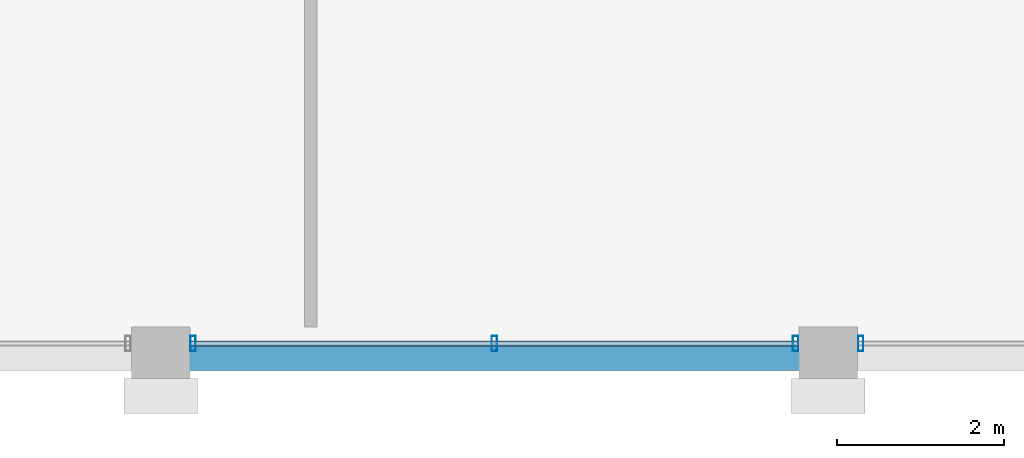
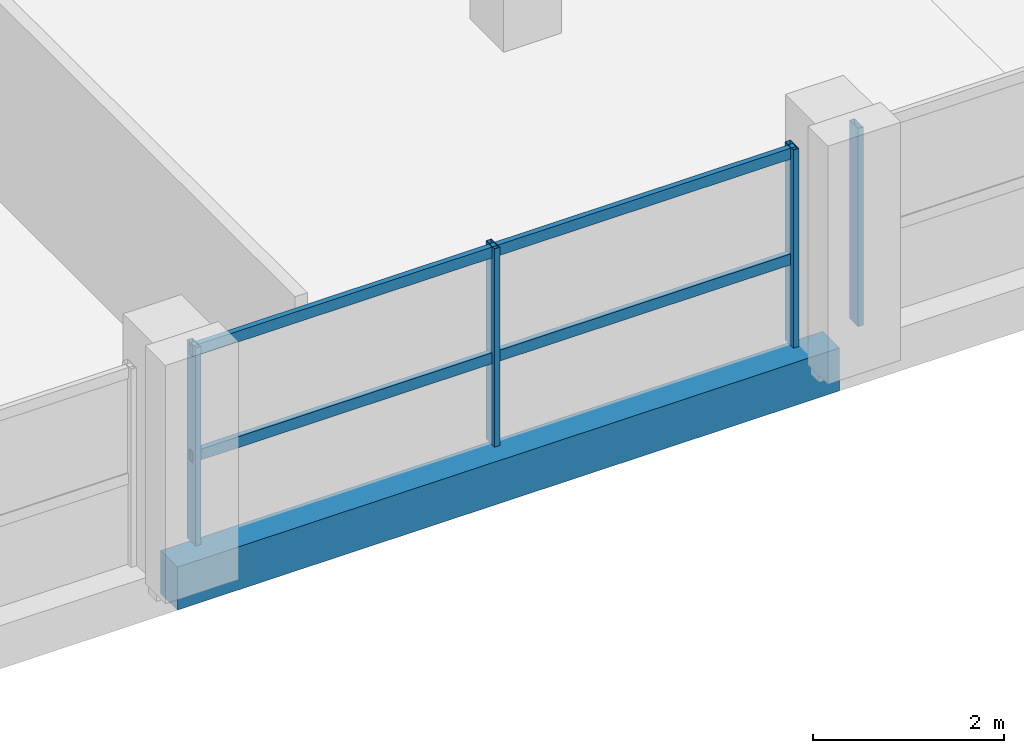
# One storey, part 5 of 24: 6 members, 1 beam, 2 elements without a shape of their own.
"""IFC4 building model written with IfcOpenShell, lengths in metres."""

from ifc_helpers import new_model, si_unit, direction, frame, origin, origin_2d, place, context, subcontext, project, spatial, rectangle, hollow_rectangle, extrude, material, material_profile, profile_set, type_object, element, aggregate, save


model = new_model("IFC4")

# Units and contexts
model_context = context("Model", 3, precision=1e-05, world=origin(), true_north=direction((0.0, 1.0)))
body_context = subcontext(model_context, "Body", "Model", "MODEL_VIEW")
ifc_project = project(units=[si_unit("LENGTHUNIT", "METRE"), si_unit("AREAUNIT", "SQUARE_METRE"), si_unit("VOLUMEUNIT", "CUBIC_METRE"), si_unit("PLANEANGLEUNIT", "RADIAN"), si_unit("MASSUNIT", "GRAM", prefix="KILO")], contexts=[model_context])

# Site, building, storey
site_placement = place(None, origin())
site = spatial("IfcSite", under=ifc_project, at=site_placement, CompositionType="ELEMENT")
building_placement = place(site_placement, origin())
building = spatial("IfcBuilding", under=site, at=building_placement, Name="Akrevak Sports Hall", CompositionType="ELEMENT")
storey_placement = place(building_placement, frame((0.0, 0.0, 60.050048828125)))
storey = spatial("IfcBuildingStorey", under=building, at=storey_placement, Name="L15", CompositionType="ELEMENT", Elevation=60.050048828125)

# Curtain wall, members
ifc_material_1 = material(Name="Anodized Bronze Aluminium & Low-E Glass", Category="aluminium")
curtain_wall_type = type_object("IfcCurtainWallType", Name="ARC-CW-TWR-56x30", PredefinedType="NOTDEFINED", material=ifc_material_1)
curtain_wall_1_placement = place(storey_placement, origin())
curtain_wall_1 = element("IfcCurtainWall", 1, at=curtain_wall_1_placement, inside=storey, type_object=curtain_wall_type, Name="Curtain Wall CW-L15-S03", PredefinedType="NOTDEFINED")
ifc_material_2 = material(Name="Anodized Bronze Aluminium", Category="aluminium")
ifc_material_profile_1 = material_profile(ifc_material_2, hollow_rectangle(XDim=0.06494140625, YDim=0.179931640625, WallThickness=0.00390625, at=origin_2d()), Name="CWM 65x180", Category="aluminium")
ifc_profile_set_1 = profile_set([ifc_material_profile_1], Name="Anodized Bronze Aluminium")
member_type_1 = type_object("IfcMemberType", Name="ARC-CWM-65x140", PredefinedType="MULLION", material=ifc_profile_set_1)
member_1_placement = place(storey_placement, frame((68.389892578125, 35.550048828125, 0.0), z_axis=(0.0, 0.0, 1.0), x_axis=(1.0, 0.0, 0.0)))
member_1 = element("IfcMember", 2, at=member_1_placement, type_object=member_type_1, Name="Curtain Wall Mullion CW-L15-S03-M1", PredefinedType="MULLION", context=body_context, shape_type="SweptSolid", body=[
    extrude(hollow_rectangle(XDim=0.06494140625, YDim=0.179931640625, WallThickness=0.00390625, at=origin_2d()), origin(), (0.0, 0.0, 1.0), 2.530029296875),
])
member_2_placement = place(storey_placement, frame((72.0, 35.550048828125, 0.0), z_axis=(0.0, 0.0, 1.0), x_axis=(1.0, 0.0, 0.0)))
member_2 = element("IfcMember", 3, at=member_2_placement, type_object=member_type_1, Name="Curtain Wall Mullion CW-L15-S03-M2", PredefinedType="MULLION", context=body_context, shape_type="SweptSolid", body=[
    extrude(hollow_rectangle(XDim=0.06494140625, YDim=0.179931640625, WallThickness=0.00390625, at=origin_2d()), origin(), (0.0, 0.0, 1.0), 2.530029296875),
])
member_3_placement = place(storey_placement, frame((75.610107421875, 35.550048828125, 0.0), z_axis=(0.0, 0.0, 1.0), x_axis=(1.0, 0.0, 0.0)))
member_3 = element("IfcMember", 4, at=member_3_placement, type_object=member_type_1, Name="Curtain Wall Mullion CW-L15-S03-M3", PredefinedType="MULLION", context=body_context, shape_type="SweptSolid", body=[
    extrude(hollow_rectangle(XDim=0.06494140625, YDim=0.179931640625, WallThickness=0.00390625, at=origin_2d()), origin(), (0.0, 0.0, 1.0), 2.530029296875),
])

# Curtain wall, member
curtain_wall_2_placement = place(storey_placement, origin())
curtain_wall_2 = element("IfcCurtainWall", 5, at=curtain_wall_2_placement, inside=storey, type_object=curtain_wall_type, Name="Curtain Wall CW-L15-S04", PredefinedType="NOTDEFINED")
member_4_placement = place(storey_placement, frame((76.389892578125, 35.550048828125, 0.0), z_axis=(0.0, 0.0, 1.0), x_axis=(1.0, 0.0, 0.0)))
member_4 = element("IfcMember", 6, at=member_4_placement, type_object=member_type_1, Name="Curtain Wall Mullion CW-L15-S04-M1", PredefinedType="MULLION", context=body_context, shape_type="SweptSolid", body=[
    extrude(hollow_rectangle(XDim=0.06494140625, YDim=0.179931640625, WallThickness=0.00390625, at=origin_2d()), origin(), (0.0, 0.0, 1.0), 2.530029296875),
])
aggregate(curtain_wall_2, [member_4])

# Member
ifc_material_profile_2 = material_profile(ifc_material_2, hollow_rectangle(XDim=0.06494140625, YDim=0.139892578125, WallThickness=0.00390625, at=origin_2d()), Name="CWT 65x140", Category="aluminium")
ifc_profile_set_2 = profile_set([ifc_material_profile_2], Name="Anodized Bronze Aluminium")
member_type_2 = type_object("IfcMemberType", Name="ARC-CWT-65x110", PredefinedType="USERDEFINED", material=ifc_profile_set_2)
member_5_placement = place(storey_placement, frame((68.35009765625, 35.550048828125, 1.099853515625), z_axis=(1.0, 0.0, 0.0), x_axis=(0.0, 1.0, 0.0)))
member_5 = element("IfcMember", 7, at=member_5_placement, type_object=member_type_2, Name="Curtain Wall Transom CW-L15-S03-T1", ObjectType="TRANSOM", PredefinedType="USERDEFINED", context=body_context, shape_type="SweptSolid", body=[
    extrude(hollow_rectangle(XDim=0.06494140625, YDim=0.139892578125, WallThickness=0.00390625, at=origin_2d()), origin(), (0.0, 0.0, 1.0), 7.2998046875),
])

member_6_placement = place(storey_placement, frame((68.35009765625, 35.550048828125, 2.449951171875), z_axis=(1.0, 0.0, 0.0), x_axis=(0.0, 1.0, 0.0)))
member_6 = element("IfcMember", 8, at=member_6_placement, type_object=member_type_2, Name="Curtain Wall Transom CW-L15-S03-T2", ObjectType="TRANSOM", PredefinedType="USERDEFINED", context=body_context, shape_type="SweptSolid", body=[
    extrude(hollow_rectangle(XDim=0.06494140625, YDim=0.139892578125, WallThickness=0.00390625, at=origin_2d()), origin(), (0.0, 0.0, 1.0), 7.2998046875),
])

aggregate(curtain_wall_1, [member_1, member_2, member_3, member_5, member_6])

# Beam
ifc_material_3 = material(Name="Concrete C40/50", Category="concrete")
ifc_material_profile_3 = material_profile(ifc_material_3, rectangle(XDim=0.35009765625, YDim=0.550048828125, at=origin_2d()), Name="BM 350x550", Category="concrete")
ifc_profile_set_3 = profile_set([ifc_material_profile_3], Name="Concrete C40/50")
beam_type = type_object("IfcBeamType", Name="STR-BM-RC350x550", PredefinedType="BEAM", material=ifc_profile_set_3)
beam_placement = place(storey_placement, frame((68.0, 35.39990234375, -0.275146484375), z_axis=(1.0, 0.0, 0.0), x_axis=(0.0, 1.0, 0.0)))
element("IfcBeam", 9, at=beam_placement, inside=storey, type_object=beam_type, Name="Girder F/10-11 (L15)", PredefinedType="BEAM", context=body_context, shape_type="SweptSolid", body=[
    extrude(rectangle(XDim=0.35009765625, YDim=0.550048828125, at=origin_2d()), origin(), (0.0, 0.0, 1.0), 8.0),
])

save(model, "model.ifc")
